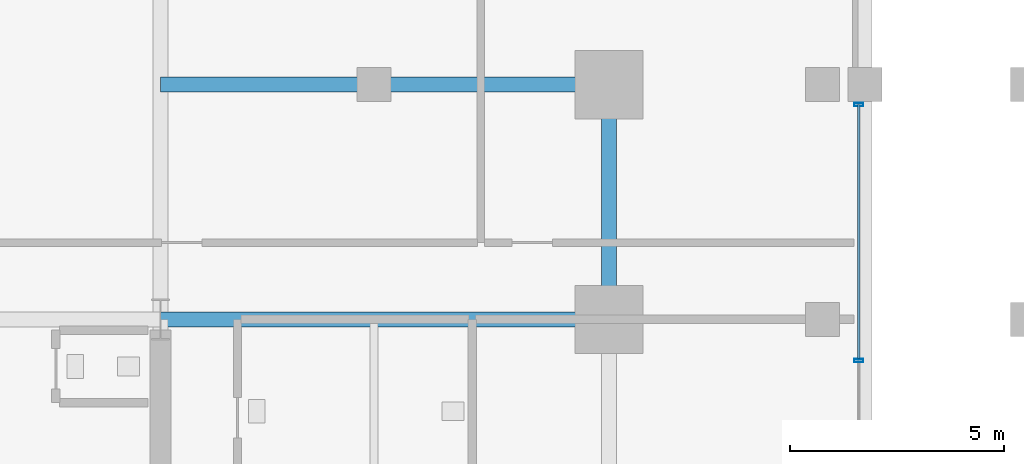
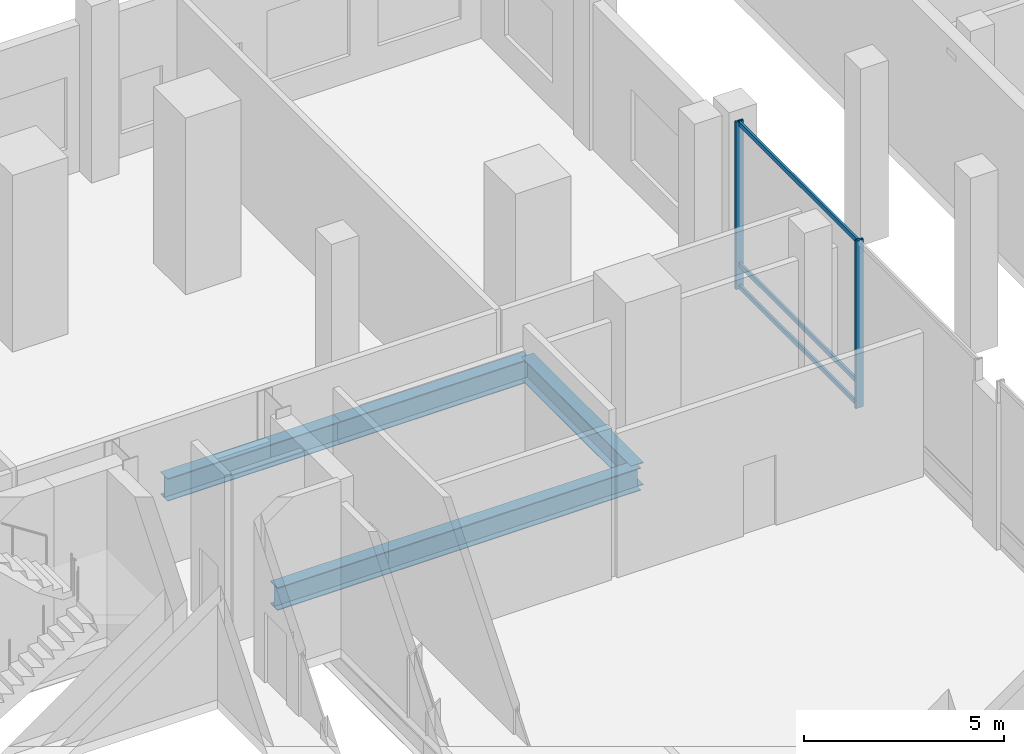
# One storey, part 14 of 32: 5 members, 4 beams, 1 element without a shape of its own.
"""IFC4 building model written with IfcOpenShell, lengths in metres."""

from ifc_helpers import new_model, si_unit, direction, frame, origin, origin_2d, place, context, subcontext, project, spatial, hollow_rectangle, i_section, extrude, material, layer, layer_set, material_profile, profile_set, type_object, element, aggregate, save


model = new_model("IFC4")

# Units and contexts
model_context = context("Model", 3, precision=1e-05, world=origin(), true_north=direction((0.0, 1.0)))
body_context = subcontext(model_context, "Body", "Model", "MODEL_VIEW")
ifc_project = project(units=[si_unit("LENGTHUNIT", "METRE"), si_unit("AREAUNIT", "SQUARE_METRE"), si_unit("VOLUMEUNIT", "CUBIC_METRE"), si_unit("PLANEANGLEUNIT", "RADIAN"), si_unit("MASSUNIT", "GRAM", prefix="KILO")], contexts=[model_context])

# Site, building, storey
site_placement = place(None, origin())
site = spatial("IfcSite", under=ifc_project, at=site_placement, CompositionType="ELEMENT")
building_placement = place(site_placement, origin())
building = spatial("IfcBuilding", under=site, at=building_placement, Name="Barlavira Tower and Art Museum", CompositionType="ELEMENT")
storey_placement = place(building_placement, frame((0.0, 0.0, 6.0)))
storey = spatial("IfcBuildingStorey", under=building, at=storey_placement, Name="L01", CompositionType="ELEMENT", Elevation=6.0)

# Curtain wall, members
ifc_material_1 = material(Name="Low-iron coastal laminated glass", Category="glass")
ifc_layer = layer(ifc_material_1, 0.219970703125, Name="Low-iron coastal laminated glass")
ifc_layer_set = layer_set([ifc_layer], Name="Low-iron coastal laminated glass")
curtain_wall_type = type_object("IfcCurtainWallType", Name="Double-Height Podium Arcade Storefront Curtain Wall", PredefinedType="NOTDEFINED", material=ifc_layer_set)
curtain_wall_placement = place(storey_placement, origin())
curtain_wall = element("IfcCurtainWall", 1, at=curtain_wall_placement, inside=storey, type_object=curtain_wall_type, Name="L01 Curtain Wall CW5-L01-EN", PredefinedType="NOTDEFINED")
ifc_material_2 = material(Name="Pale anodised aluminium", Category="aluminium")
ifc_material_profile_1 = material_profile(ifc_material_2, hollow_rectangle(XDim=0.074951171875, YDim=0.219970703125, WallThickness=0.0048828125, at=origin_2d()), Name="ALU-MULL 75x220x5")
ifc_profile_set_1 = profile_set([ifc_material_profile_1], Name="Pale anodised aluminium")
member_type_1 = type_object("IfcMemberType", Name="Curtain Wall Heavy Pale-Metal Mullion 75x220", PredefinedType="MULLION", material=ifc_profile_set_1)
member_1_placement = place(storey_placement, frame((22.85009765625, 6.5400390625, 0.0), z_axis=(0.0, 0.0, 1.0), x_axis=(0.0, 1.0, 0.0)))
member_1 = element("IfcMember", 2, at=member_1_placement, type_object=member_type_1, Name="CW5-L01-EN Mullion 1", PredefinedType="MULLION", context=body_context, shape_type="SweptSolid", body=[
    extrude(hollow_rectangle(XDim=0.074951171875, YDim=0.219970703125, WallThickness=0.0048828125, at=origin_2d()), origin(), (0.0, 0.0, 1.0), 5.1201171875),
])
member_2_placement = place(storey_placement, frame((22.85009765625, 12.534912109375, 0.0), z_axis=(0.0, 0.0, 1.0), x_axis=(0.0, 1.0, 0.0)))
member_2 = element("IfcMember", 3, at=member_2_placement, type_object=member_type_1, Name="CW5-L01-EN Mullion 2", PredefinedType="MULLION", context=body_context, shape_type="SweptSolid", body=[
    extrude(hollow_rectangle(XDim=0.074951171875, YDim=0.219970703125, WallThickness=0.0048828125, at=origin_2d()), origin(), (0.0, 0.0, 1.0), 5.1201171875),
])
ifc_material_profile_2 = material_profile(ifc_material_2, hollow_rectangle(XDim=0.06494140625, YDim=0.139892578125, WallThickness=0.00390625, at=origin_2d()), Name="ALU-TRAN 65x140x4")
ifc_profile_set_2 = profile_set([ifc_material_profile_2], Name="Pale anodised aluminium")
member_type_2 = type_object("IfcMemberType", Name="Curtain Wall Pale-Metal Transom 65x140", PredefinedType="USERDEFINED", material=ifc_profile_set_2)
member_3_placement = place(storey_placement, frame((22.85009765625, 6.5849609375, 0.070068359375), z_axis=(0.0, 1.0, 0.0), x_axis=(-1.0, 0.0, 0.0)))
member_3 = element("IfcMember", 4, at=member_3_placement, type_object=member_type_2, Name="CW5-L01-EN Transom 1.1", ObjectType="TRANSOM", PredefinedType="USERDEFINED", context=body_context, shape_type="SweptSolid", body=[
    extrude(hollow_rectangle(XDim=0.06494140625, YDim=0.139892578125, WallThickness=0.00390625, at=origin_2d()), origin(), (0.0, 0.0, 1.0), 5.949951171875),
])
member_4_placement = place(storey_placement, frame((22.85009765625, 6.5849609375, 0.75), z_axis=(0.0, 1.0, 0.0), x_axis=(-1.0, 0.0, 0.0)))
member_4 = element("IfcMember", 5, at=member_4_placement, type_object=member_type_2, Name="CW5-L01-EN Transom 1.2", ObjectType="TRANSOM", PredefinedType="USERDEFINED", context=body_context, shape_type="SweptSolid", body=[
    extrude(hollow_rectangle(XDim=0.06494140625, YDim=0.139892578125, WallThickness=0.00390625, at=origin_2d()), origin(), (0.0, 0.0, 1.0), 5.949951171875),
])
member_5_placement = place(storey_placement, frame((22.85009765625, 6.5849609375, 5.050048828125), z_axis=(0.0, 1.0, 0.0), x_axis=(-1.0, 0.0, 0.0)))
member_5 = element("IfcMember", 6, at=member_5_placement, type_object=member_type_2, Name="CW5-L01-EN Transom 1.3", ObjectType="TRANSOM", PredefinedType="USERDEFINED", context=body_context, shape_type="SweptSolid", body=[
    extrude(hollow_rectangle(XDim=0.06494140625, YDim=0.139892578125, WallThickness=0.00390625, at=origin_2d()), origin(), (0.0, 0.0, 1.0), 5.949951171875),
])
aggregate(curtain_wall, [member_1, member_2, member_3, member_4, member_5])

# Beams
ifc_material_3 = material(Name="Steel S355", Category="steel")
ifc_material_profile_3 = material_profile(ifc_material_3, i_section(OverallWidth=0.35595703125, OverallDepth=0.695068359375, WebThickness=0.014892578125, FlangeThickness=0.023681640625, at=origin_2d()), Name="W690x192.0")
ifc_profile_set_3 = profile_set([ifc_material_profile_3], Name="Steel S355")
beam_type = type_object("IfcBeamType", Name="Podium Primary Girder W690x192 Steel S355", PredefinedType="BEAM", material=ifc_profile_set_3)
beam_1_placement = place(storey_placement, frame((17.0, 7.5, -0.62744140625), z_axis=(0.0, 1.0, 0.0), x_axis=(-1.0, 0.0, 0.0)))
element("IfcBeam", 7, at=beam_1_placement, inside=storey, type_object=beam_type, Name="L01 Girder M-E3", PredefinedType="BEAM", context=body_context, shape_type="SweptSolid", body=[
    extrude(i_section(OverallWidth=0.35595703125, OverallDepth=0.695068359375, WebThickness=0.014892578125, FlangeThickness=0.023681640625, at=origin_2d()), origin(), (0.0, 0.0, 1.0), 5.5),
])
beam_2_placement = place(storey_placement, frame((6.5, 7.5, -0.62744140625), z_axis=(1.0, 0.0, 0.0), x_axis=(0.0, 1.0, 0.0)))
element("IfcBeam", 8, at=beam_2_placement, inside=storey, type_object=beam_type, Name="L01 Girder R-E2", PredefinedType="BEAM", context=body_context, shape_type="SweptSolid", body=[
    extrude(i_section(OverallWidth=0.35595703125, OverallDepth=0.695068359375, WebThickness=0.014892578125, FlangeThickness=0.023681640625, at=origin_2d()), origin(), (0.0, 0.0, 1.0), 10.5),
])
beam_3_placement = place(storey_placement, frame((6.5, 13.0, -0.62744140625), z_axis=(1.0, 0.0, 0.0), x_axis=(0.0, 1.0, 0.0)))
element("IfcBeam", 9, at=beam_3_placement, inside=storey, type_object=beam_type, Name="L01 Girder I-N3", PredefinedType="BEAM", context=body_context, shape_type="SweptSolid", body=[
    extrude(i_section(OverallWidth=0.35595703125, OverallDepth=0.695068359375, WebThickness=0.014892578125, FlangeThickness=0.023681640625, at=origin_2d()), origin(), (0.0, 0.0, 1.0), 5.0),
])
beam_4_placement = place(storey_placement, frame((11.5, 13.0, -0.62744140625), z_axis=(1.0, 0.0, 0.0), x_axis=(0.0, 1.0, 0.0)))
element("IfcBeam", 10, at=beam_4_placement, inside=storey, type_object=beam_type, Name="L01 Girder I-N4", PredefinedType="BEAM", context=body_context, shape_type="SweptSolid", body=[
    extrude(i_section(OverallWidth=0.35595703125, OverallDepth=0.695068359375, WebThickness=0.014892578125, FlangeThickness=0.023681640625, at=origin_2d()), origin(), (0.0, 0.0, 1.0), 5.5),
])

save(model, "model.ifc")
